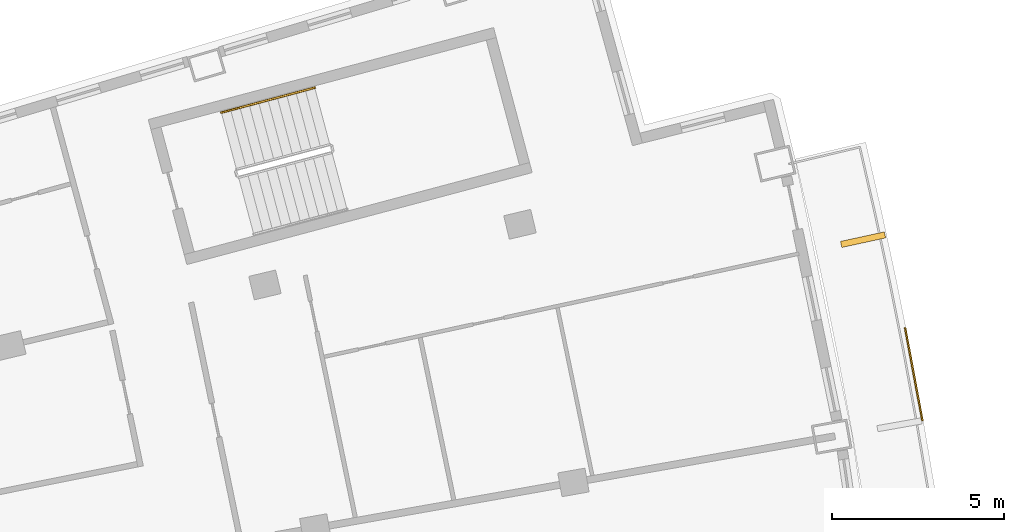
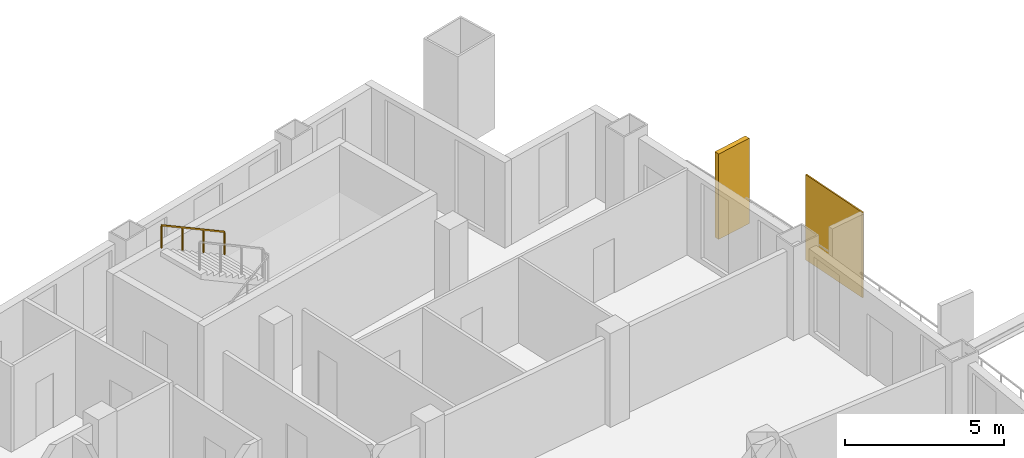
# One storey, part 19 of 19: 2 shading devices, 1 railing.
"""IFC4 building model written with IfcOpenShell, lengths in metres."""

from ifc_helpers import new_model, si_unit, direction, frame, origin, origin_2d, place, context, subcontext, project, spatial, rectangle, extrude, material, layer, layer_set, type_object, element, save


model = new_model("IFC4")

# Units and contexts
model_context = context("Model", 3, precision=1e-05, world=origin(), true_north=direction((0.0, 1.0)))
body_context = subcontext(model_context, "Body", "Model", "MODEL_VIEW")
ifc_project = project(units=[si_unit("LENGTHUNIT", "METRE"), si_unit("AREAUNIT", "SQUARE_METRE"), si_unit("VOLUMEUNIT", "CUBIC_METRE"), si_unit("PLANEANGLEUNIT", "RADIAN"), si_unit("MASSUNIT", "GRAM", prefix="KILO")], contexts=[model_context])

# Site, building, storey
site_placement = place(None, origin())
site = spatial("IfcSite", under=ifc_project, at=site_placement, CompositionType="ELEMENT")
building_placement = place(site_placement, origin())
building = spatial("IfcBuilding", under=site, at=building_placement, Name="Alderwake Tower", CompositionType="ELEMENT")
storey_placement = place(building_placement, frame((0.0, 0.0, 192.800048828125)))
storey = spatial("IfcBuildingStorey", under=building, at=storey_placement, Name="L47", CompositionType="ELEMENT", Elevation=192.800048828125)

# Shading devices
ifc_material_1 = material(Name="Bronze anodised aluminium", Category="aluminium")
ifc_layer_1 = layer(ifc_material_1, 0.179931640625)
ifc_layer_set_1 = layer_set([ifc_layer_1], Name="Facade fin 1300")
shading_device_type_1 = type_object("IfcShadingDeviceType", Name="Facade fin 1300", PredefinedType="USERDEFINED", material=ifc_layer_set_1)
shading_device_1_placement = place(storey_placement, frame((57.395751953125, 90.845458984375, 0.0), z_axis=(0.0, 0.0, 1.0), x_axis=(0.977210363881, 0.212273184185, 0.0)))
element("IfcShadingDevice", 1, at=shading_device_1_placement, inside=storey, type_object=shading_device_type_1, Name="Fin", ObjectType="FIN", PredefinedType="USERDEFINED", context=body_context, shape_type="SweptSolid", body=[
    extrude(rectangle(XDim=1.300048828125, YDim=0.179931640625, at=origin_2d()), origin(), (0.0, 0.0, 1.0), 3.280029296875),
])
ifc_material_2 = material(Name="Perforated bronze anodised aluminium", Category="aluminium")
ifc_layer_2 = layer(ifc_material_2, 0.050048828125)
ifc_layer_set_2 = layer_set([ifc_layer_2], Name="Perforated screen panel")
shading_device_type_2 = type_object("IfcShadingDeviceType", Name="Perforated screen panel", PredefinedType="USERDEFINED", material=ifc_layer_set_2)
shading_device_2_placement = place(storey_placement, frame((58.865478515625, 86.944091796875, 0.0), z_axis=(0.0, 0.0, 1.0), x_axis=(0.982991488043, 0.183651121519, 0.0)))
element("IfcShadingDevice", 2, at=shading_device_2_placement, inside=storey, type_object=shading_device_type_2, Name="Screen panel", ObjectType="SCREEN", PredefinedType="USERDEFINED", context=body_context, shape_type="SweptSolid", body=[
    extrude(rectangle(XDim=0.050048828125, YDim=2.74072265625, at=origin_2d()), origin(), (0.0, 0.0, 1.0), 3.280029296875),
])

# Railing
ifc_material_3 = material(Name="Stainless steel handrail", Category="steel")
railing_type = type_object("IfcRailingType", Name="Stair handrail 900", PredefinedType="HANDRAIL", material=ifc_material_3)
railing_placement = place(storey_placement, frame((41.497802734375, 95.250244140625, 1.963623046875)))
element("IfcRailing", 3, at=railing_placement, inside=storey, type_object=railing_type, Name="L47 ST-A stair handrail 2", PredefinedType="HANDRAIL", context=body_context, shape_type="SweptSolid", body=[
    extrude(rectangle(XDim=0.048095703125, YDim=0.048095703125, at=origin_2d()), frame((0.0, 0.0, 0.8759765625), z_axis=(-0.834290631165, -0.222236594766, 0.504549342183), x_axis=(0.257402139082, -0.966304371715, 0.0)), (0.0, 0.0, 1.0), 3.242919921875),
    extrude(rectangle(XDim=0.0419921875, YDim=0.0419921875, at=origin_2d()), frame((0.0, 0.0, 0.0), z_axis=(0.0, 0.0, 1.0), x_axis=(-0.966304371715, -0.257402139082, 0.0)), (0.0, 0.0, 1.0), 0.851806640625),
    extrude(rectangle(XDim=0.0419921875, YDim=0.0419921875, at=origin_2d()), frame((-0.90185546875, -0.240234375, 0.54541015625), z_axis=(0.0, 0.0, 1.0), x_axis=(-0.966304371715, -0.257402139082, 0.0)), (0.0, 0.0, 1.0), 0.851806640625),
    extrude(rectangle(XDim=0.0419921875, YDim=0.0419921875, at=origin_2d()), frame((-1.8037109375, -0.48046875, 1.0908203125), z_axis=(0.0, 0.0, 1.0), x_axis=(-0.966304371715, -0.257402139082, 0.0)), (0.0, 0.0, 1.0), 0.851806640625),
    extrude(rectangle(XDim=0.0419921875, YDim=0.0419921875, at=origin_2d()), frame((-2.70556640625, -0.720703125, 1.63623046875), z_axis=(0.0, 0.0, 1.0), x_axis=(-0.966304371715, -0.257402139082, 0.0)), (0.0, 0.0, 1.0), 0.851806640625),
])

save(model, "model.ifc")
